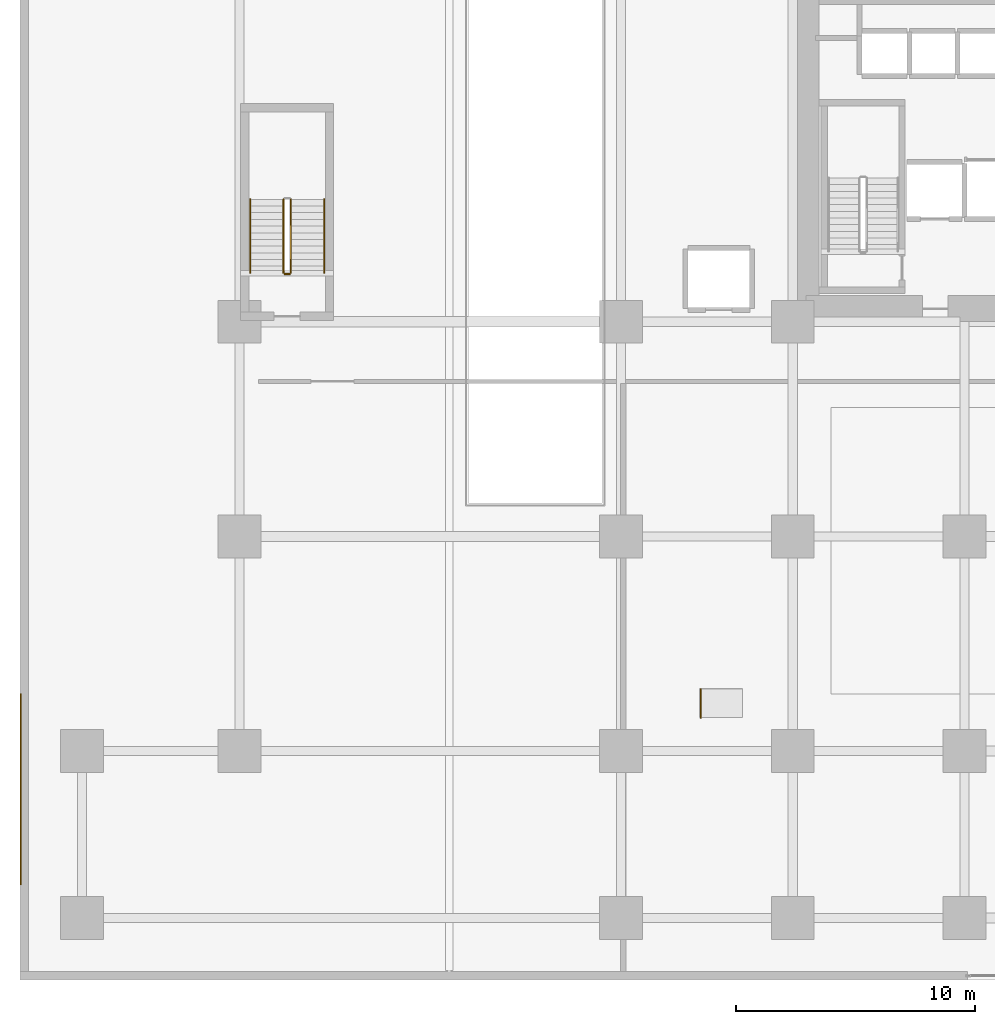
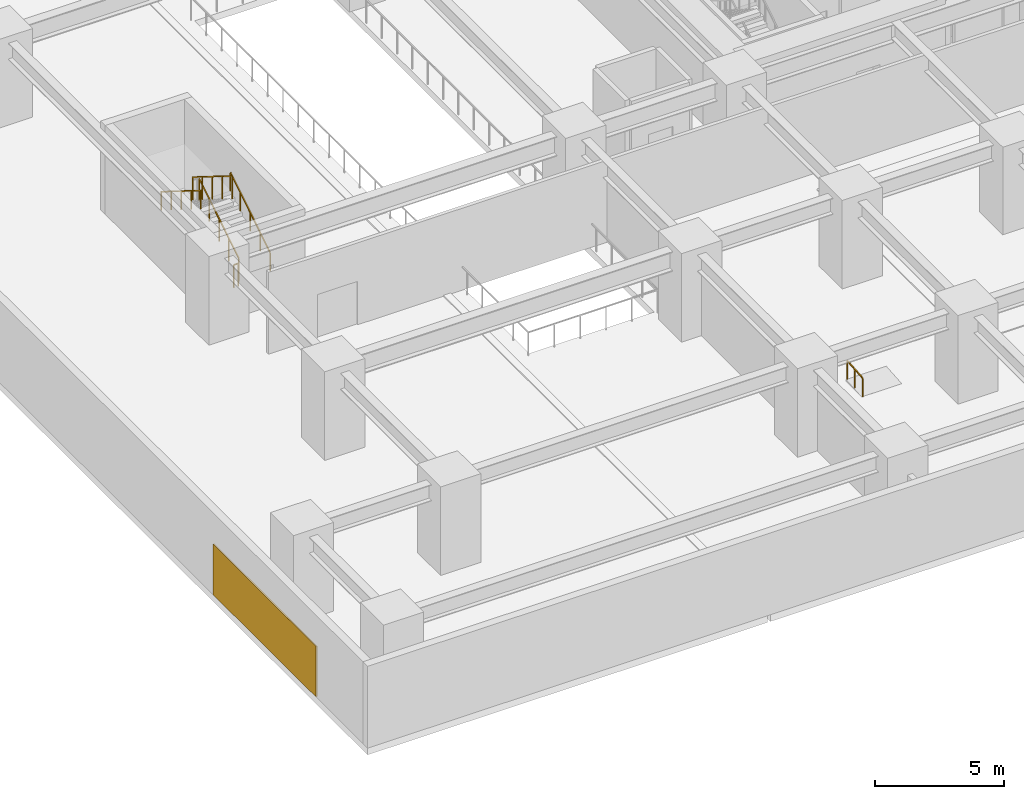
# One storey, part 15 of 22: 6 railings, 1 covering.
"""IFC4 building model written with IfcOpenShell, lengths in metres."""

from ifc_helpers import new_model, si_unit, direction, frame, origin, origin_2d, place, context, subcontext, project, spatial, polyline, rectangle, outline, extrude, material, layer, layer_set, type_object, element, save


model = new_model("IFC4")

# Units and contexts
model_context = context("Model", 3, precision=1e-05, world=origin(), true_north=direction((0.0, 1.0)))
body_context = subcontext(model_context, "Body", "Model", "MODEL_VIEW")
ifc_project = project(units=[si_unit("LENGTHUNIT", "METRE"), si_unit("AREAUNIT", "SQUARE_METRE"), si_unit("VOLUMEUNIT", "CUBIC_METRE"), si_unit("PLANEANGLEUNIT", "RADIAN"), si_unit("MASSUNIT", "GRAM", prefix="KILO")], contexts=[model_context])

# Site, building, storey
site_placement = place(None, origin())
site = spatial("IfcSite", under=ifc_project, at=site_placement, CompositionType="ELEMENT")
building_placement = place(site_placement, origin())
building = spatial("IfcBuilding", under=site, at=building_placement, Name="Kiyonajd Concourse Tower", CompositionType="ELEMENT")
storey_placement = place(building_placement, frame((0.0, 0.0, 8.699951171875)))
storey = spatial("IfcBuildingStorey", under=building, at=storey_placement, Name="L03", CompositionType="ELEMENT", Elevation=8.699951171875)

# Covering
ifc_material_1 = material(Name="Riyadh Jubaila Limestone", Category="masonry")
ifc_layer = layer(ifc_material_1, 0.06005859375)
ifc_layer_set = layer_set([ifc_layer], Name="Riyadh Jubaila Limestone")
covering_type = type_object("IfcCoveringType", Name="CV-CLD-STONE", PredefinedType="CLADDING", material=ifc_layer_set)
covering_placement = place(storey_placement, origin())
element("IfcCovering", 1, at=covering_placement, inside=storey, type_object=covering_type, Name="L03 Riyadh Jubaila Limestone Pier Cladding 1", PredefinedType="CLADDING", context=body_context, shape_type="SweptSolid", body=[
    extrude(outline(polyline([(0.0, 4.0), (0.06005859375, 4.0), (0.06005859375, 12.0), (0.0, 12.0), (0.0, 4.0)])), origin(), (0.0, 0.0, 1.0), 2.400146484375),
])

# Railings
ifc_material_2 = material(Name="Steel ASTM A500 Grade C", Category="steel")
railing_type_1 = type_object("IfcRailingType", Name="RL-GRD-STR", PredefinedType="GUARDRAIL", material=ifc_material_2)
railing_1_placement = place(storey_placement, frame((11.35009765625, 29.64990234375, 0.175048828125)))
element("IfcRailing", 2, at=railing_1_placement, inside=storey, type_object=railing_type_1, Name="L03 ST4 stair guard 1", PredefinedType="GUARDRAIL", context=body_context, shape_type="SweptSolid", body=[
    extrude(rectangle(XDim=0.048095703125, YDim=0.048095703125, at=origin_2d()), frame((0.0, 0.0, 1.076171875), z_axis=(0.0, 0.847998304005, 0.529998940003), x_axis=(-1.0, 0.0, 0.0)), (0.0, 0.0, 1.0), 3.632080078125),
    extrude(rectangle(XDim=0.0419921875, YDim=0.0419921875, at=origin_2d()), origin(), (0.0, 0.0, 1.0), 1.052001953125),
    extrude(rectangle(XDim=0.0419921875, YDim=0.0419921875, at=origin_2d()), frame((0.0, 0.77001953125, 0.481201171875)), (0.0, 0.0, 1.0), 1.052001953125),
    extrude(rectangle(XDim=0.0419921875, YDim=0.0419921875, at=origin_2d()), frame((0.0, 1.5400390625, 0.96240234375)), (0.0, 0.0, 1.0), 1.052001953125),
    extrude(rectangle(XDim=0.0419921875, YDim=0.0419921875, at=origin_2d()), frame((0.0, 2.31005859375, 1.44384765625)), (0.0, 0.0, 1.0), 1.052001953125),
    extrude(rectangle(XDim=0.0419921875, YDim=0.0419921875, at=origin_2d()), frame((0.0, 3.080078125, 1.925048828125)), (0.0, 0.0, 1.0), 1.052001953125),
])
railing_2_placement = place(storey_placement, frame((11.050048828125, 32.72998046875, 2.275146484375)))
element("IfcRailing", 3, at=railing_2_placement, inside=storey, type_object=railing_type_1, Name="L03 ST4 stair guard 3", PredefinedType="GUARDRAIL", context=body_context, shape_type="SweptSolid", body=[
    extrude(rectangle(XDim=0.048095703125, YDim=0.048095703125, at=origin_2d()), frame((0.0, 0.0, 1.076171875), z_axis=(0.0, -0.848028513186, 0.529950602248), x_axis=(1.0, 0.0, 0.0)), (0.0, 0.0, 1.0), 3.632080078125),
    extrude(rectangle(XDim=0.0419921875, YDim=0.0419921875, at=origin_2d()), origin(), (0.0, 0.0, 1.0), 1.052001953125),
    extrude(rectangle(XDim=0.0419921875, YDim=0.0419921875, at=origin_2d()), frame((0.0, -0.77001953125, 0.481201171875)), (0.0, 0.0, 1.0), 1.052001953125),
    extrude(rectangle(XDim=0.0419921875, YDim=0.0419921875, at=origin_2d()), frame((0.0, -1.5400390625, 0.96240234375)), (0.0, 0.0, 1.0), 1.052001953125),
    extrude(rectangle(XDim=0.0419921875, YDim=0.0419921875, at=origin_2d()), frame((0.0, -2.31005859375, 1.443603515625)), (0.0, 0.0, 1.0), 1.052001953125),
    extrude(rectangle(XDim=0.0419921875, YDim=0.0419921875, at=origin_2d()), frame((0.0, -3.080078125, 1.9248046875)), (0.0, 0.0, 1.0), 1.052001953125),
])
railing_3_placement = place(storey_placement, frame((11.300048828125, 29.60009765625, 0.0)))
element("IfcRailing", 4, at=railing_3_placement, inside=storey, type_object=railing_type_1, Name="L03 ST4 stair guard 4", PredefinedType="GUARDRAIL", context=body_context, shape_type="SweptSolid", body=[
    extrude(rectangle(XDim=0.048095703125, YDim=0.048095703125, at=origin_2d()), frame((0.0, 0.0, 1.076171875), z_axis=(-1.0, 0.0, 0.0), x_axis=(0.0, -1.0, 0.0)), (0.0, 0.0, 1.0), 0.199951171875),
    extrude(rectangle(XDim=0.0419921875, YDim=0.0419921875, at=origin_2d()), origin(), (0.0, 0.0, 1.0), 1.052001953125),
    extrude(rectangle(XDim=0.0419921875, YDim=0.0419921875, at=origin_2d()), frame((-0.199951171875, 0.0, 0.0)), (0.0, 0.0, 1.0), 1.052001953125),
])
ifc_material_3 = material(Name="Brushed Stainless Steel Cab Assembly", Category="steel")
railing_type_2 = type_object("IfcRailingType", Name="RL-HND-900", PredefinedType="HANDRAIL", material=ifc_material_3)
railing_4_placement = place(storey_placement, frame((12.75, 29.64990234375, 0.175048828125)))
element("IfcRailing", 5, at=railing_4_placement, inside=storey, type_object=railing_type_2, Name="L03 ST4 stair handrail 1", PredefinedType="HANDRAIL", context=body_context, shape_type="SweptSolid", body=[
    extrude(rectangle(XDim=0.048095703125, YDim=0.048095703125, at=origin_2d()), frame((0.0, 0.0, 0.8759765625), z_axis=(0.0, 0.847998304005, 0.529998940003), x_axis=(-1.0, 0.0, 0.0)), (0.0, 0.0, 1.0), 3.632080078125),
    extrude(rectangle(XDim=0.0419921875, YDim=0.0419921875, at=origin_2d()), origin(), (0.0, 0.0, 1.0), 0.851806640625),
    extrude(rectangle(XDim=0.0419921875, YDim=0.0419921875, at=origin_2d()), frame((0.0, 0.77001953125, 0.481201171875)), (0.0, 0.0, 1.0), 0.851806640625),
    extrude(rectangle(XDim=0.0419921875, YDim=0.0419921875, at=origin_2d()), frame((0.0, 1.5400390625, 0.96240234375)), (0.0, 0.0, 1.0), 0.851806640625),
    extrude(rectangle(XDim=0.0419921875, YDim=0.0419921875, at=origin_2d()), frame((0.0, 2.31005859375, 1.44384765625)), (0.0, 0.0, 1.0), 0.851806640625),
    extrude(rectangle(XDim=0.0419921875, YDim=0.0419921875, at=origin_2d()), frame((0.0, 3.080078125, 1.925048828125)), (0.0, 0.0, 1.0), 0.851806640625),
])
railing_5_placement = place(storey_placement, frame((9.64990234375, 32.72998046875, 2.275146484375)))
element("IfcRailing", 6, at=railing_5_placement, inside=storey, type_object=railing_type_2, Name="L03 ST4 stair handrail 2", PredefinedType="HANDRAIL", context=body_context, shape_type="SweptSolid", body=[
    extrude(rectangle(XDim=0.048095703125, YDim=0.048095703125, at=origin_2d()), frame((0.0, 0.0, 0.8759765625), z_axis=(0.0, -0.848028513186, 0.529950602248), x_axis=(1.0, 0.0, 0.0)), (0.0, 0.0, 1.0), 3.632080078125),
    extrude(rectangle(XDim=0.0419921875, YDim=0.0419921875, at=origin_2d()), origin(), (0.0, 0.0, 1.0), 0.851806640625),
    extrude(rectangle(XDim=0.0419921875, YDim=0.0419921875, at=origin_2d()), frame((0.0, -0.77001953125, 0.481201171875)), (0.0, 0.0, 1.0), 0.851806640625),
    extrude(rectangle(XDim=0.0419921875, YDim=0.0419921875, at=origin_2d()), frame((0.0, -1.5400390625, 0.96240234375)), (0.0, 0.0, 1.0), 0.851806640625),
    extrude(rectangle(XDim=0.0419921875, YDim=0.0419921875, at=origin_2d()), frame((0.0, -2.31005859375, 1.443603515625)), (0.0, 0.0, 1.0), 0.851806640625),
    extrude(rectangle(XDim=0.0419921875, YDim=0.0419921875, at=origin_2d()), frame((0.0, -3.080078125, 1.9248046875)), (0.0, 0.0, 1.0), 0.851806640625),
])
railing_6_placement = place(storey_placement, frame((28.550048828125, 11.0, 0.0)))
element("IfcRailing", 7, at=railing_6_placement, inside=storey, type_object=railing_type_2, Name="L03 Accessible Ramp Handrail", PredefinedType="HANDRAIL", context=body_context, shape_type="SweptSolid", body=[
    extrude(rectangle(XDim=0.048095703125, YDim=0.048095703125, at=origin_2d()), frame((0.0, 0.0, 0.8759765625), z_axis=(0.0, 0.996538763176, 0.083129378007), x_axis=(-1.0, 0.0, 0.0)), (0.0, 0.0, 1.0), 1.2041015625),
    extrude(rectangle(XDim=0.0419921875, YDim=0.0419921875, at=origin_2d()), origin(), (0.0, 0.0, 1.0), 0.851806640625),
    extrude(rectangle(XDim=0.0419921875, YDim=0.0419921875, at=origin_2d()), frame((0.0, 0.60009765625, 0.050048828125)), (0.0, 0.0, 1.0), 0.851806640625),
    extrude(rectangle(XDim=0.0419921875, YDim=0.0419921875, at=origin_2d()), frame((0.0, 1.199951171875, 0.10009765625)), (0.0, 0.0, 1.0), 0.851806640625),
])

save(model, "model.ifc")
